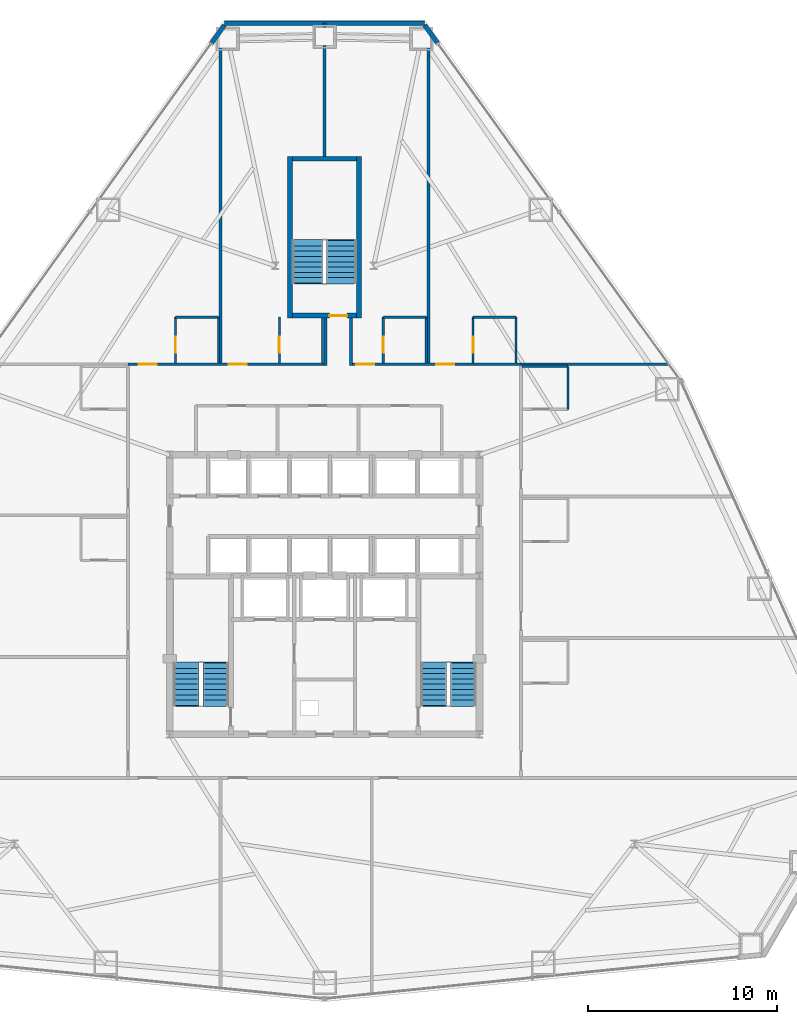
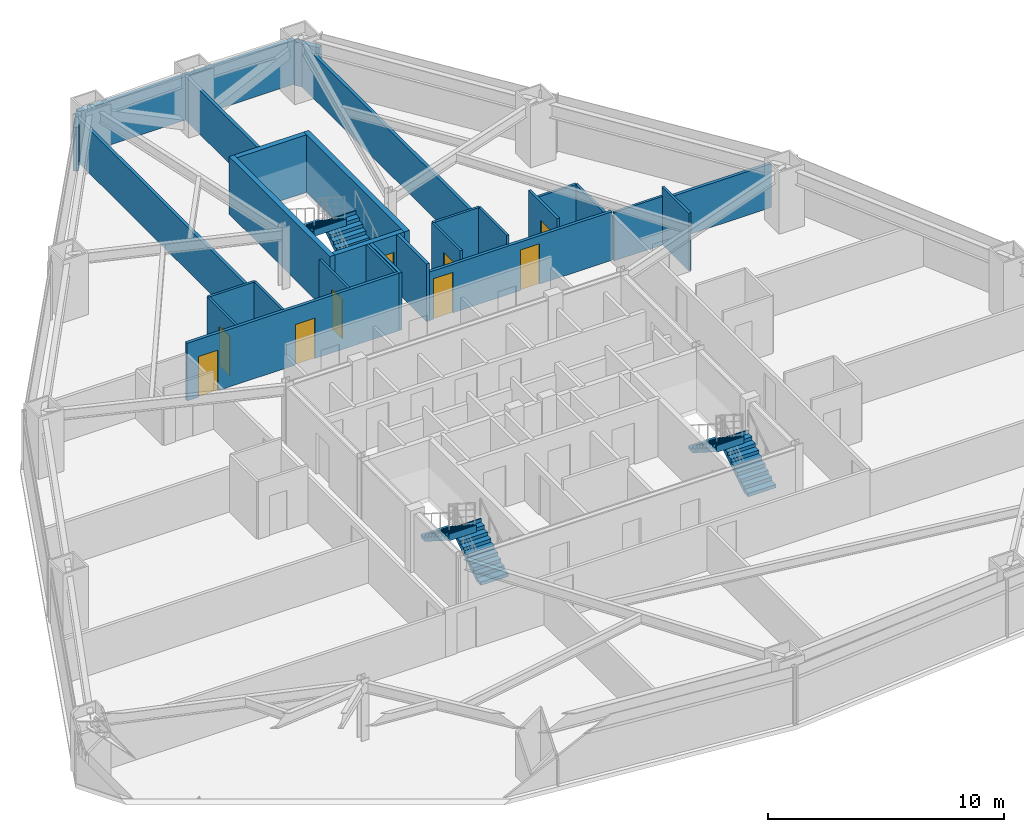
# One storey, part 11 of 12: 28 walls, 9 doors, 6 stair flights, 9 openings, 3 elements without a shape of their own.
"""IFC4 building model written with IfcOpenShell, lengths in metres."""

from ifc_helpers import new_model, si_unit, direction, frame, frame_2d, origin, place, context, subcontext, project, spatial, polyline, rectangle, outline, extrude, material, layer, layer_set, type_object, element, fill, aggregate, save


model = new_model("IFC4")

# Units and contexts
model_context = context("Model", 3, precision=1e-05, world=origin(), true_north=direction((0.0, 1.0)))
body_context = subcontext(model_context, "Body", "Model", "MODEL_VIEW")
ifc_project = project(units=[si_unit("LENGTHUNIT", "METRE"), si_unit("AREAUNIT", "SQUARE_METRE"), si_unit("VOLUMEUNIT", "CUBIC_METRE"), si_unit("PLANEANGLEUNIT", "RADIAN"), si_unit("MASSUNIT", "GRAM", prefix="KILO")], contexts=[model_context])

# Site, building, storey
site_placement = place(None, origin())
site = spatial("IfcSite", under=ifc_project, at=site_placement, CompositionType="ELEMENT")
building_placement = place(site_placement, origin())
building = spatial("IfcBuilding", under=site, at=building_placement, Name="Varakhsha Concourse Tower", CompositionType="ELEMENT")
storey_placement = place(building_placement, frame((0.0, 0.0, 30.39990234375)))
storey = spatial("IfcBuildingStorey", under=building, at=storey_placement, Name="L07", CompositionType="ELEMENT", Elevation=30.39990234375)

# Walls
ifc_material_1 = material(Name="Concrete fc 45 MPa", Category="concrete")
ifc_layer_1 = layer(ifc_material_1, 0.239990234375, Name="WL-EXT-CRN-240")
ifc_layer_set_1 = layer_set([ifc_layer_1], Name="Concrete fc 45 MPa")
wall_type_1 = type_object("IfcWallType", Name="WL-EXT-CRN-240", PredefinedType="SHEAR", material=ifc_layer_set_1)
wall_1_placement = place(storey_placement, frame((34.699951171875, 54.06005859375, 0.0), z_axis=(0.0, 0.0, 1.0), x_axis=(1.0, 0.0, 0.0)))
element("IfcWall", 1, at=wall_1_placement, inside=storey, type_object=wall_type_1, Name="L07 Chamfer Wind-Corner Insulated Wall F1", PredefinedType="SHEAR", context=body_context, shape_type="SweptSolid", body=[
    extrude(rectangle(XDim=10.60009765625, YDim=0.239990234375, at=frame_2d((5.300048828125, 0.0))), origin(), (0.0, 0.0, 1.0), 2.26318359375),
])
for number, where, z_axis, x_axis, name in (
    (2, (34.701416015625, 53.947998046875, 0.0), (0.0, 0.0, 1.0), (-0.584293660118, -0.811542308661, 0.0), "L07 Wind-Corner Shoulder Wall F2"),
    (3, (45.977783203125, 53.004638671875, 0.0), (0.0, 0.0, 1.0), (-0.584293660118, 0.811542308661, 0.0), "L07 Wind-Corner Shoulder Wall F9"),
):
    element("IfcWall", number, at=place(storey_placement, frame(where, z_axis=z_axis, x_axis=x_axis)), inside=storey, type_object=wall_type_1, Name=name, PredefinedType="SHEAR", context=body_context, shape_type="SweptSolid", body=[
        extrude(rectangle(XDim=1.162353515625, YDim=0.239990234375, at=frame_2d((0.5810546875, 0.0))), origin(), (0.0, 0.0, 1.0), 2.26318359375),
    ])
ifc_material_2 = material(Name="Acoustic Gypsum Board Partition Assembly", Category="gypsum")
ifc_layer_2 = layer(ifc_material_2, 0.1201171875, Name="WL-PART-120")
ifc_layer_set_2 = layer_set([ifc_layer_2], Name="Acoustic Gypsum Board Partition Assembly")
wall_type_2 = type_object("IfcWallType", Name="WL-PART-120", PredefinedType="PARTITIONING", material=ifc_layer_set_2)
wall_2_placement = place(storey_placement, frame((52.889892578125, 33.610107421875, 0.0), z_axis=(0.0, 0.0, 1.0), x_axis=(0.0, 1.0, 0.0)))
element("IfcWall", 4, at=wall_2_placement, inside=storey, type_object=wall_type_2, Name="L07 Wall ENSW-E-L07-H09", PredefinedType="PARTITIONING", context=body_context, shape_type="SweptSolid", body=[
    extrude(rectangle(XDim=2.27978515625, YDim=0.1201171875, at=frame_2d((1.139892578125, 0.0))), origin(), (0.0, 0.0, 1.0), 2.97998046875),
])
wall_3_placement = place(storey_placement, frame((50.4599609375, 35.889892578125, 0.0), z_axis=(0.0, 0.0, 1.0), x_axis=(1.0, 0.0, 0.0)))
element("IfcWall", 5, at=wall_3_placement, inside=storey, type_object=wall_type_2, Name="L07 Wall ENSW-N-L07-H09", PredefinedType="PARTITIONING", context=body_context, shape_type="SweptSolid", body=[
    extrude(rectangle(XDim=2.429931640625, YDim=0.1201171875, at=frame_2d((1.21484375, 0.0))), origin(), (0.0, 0.0, 1.0), 2.51318359375),
])

# Wall, opening, door
wall_4_placement = place(storey_placement, frame((32.110107421875, 36.06005859375, 0.0), z_axis=(0.0, 0.0, 1.0), x_axis=(0.0, 1.0, 0.0)))
wall_4 = element("IfcWall", 6, at=wall_4_placement, inside=storey, type_object=wall_type_2, Name="L07 Wall ENSW-W-L07-H10", PredefinedType="PARTITIONING", context=body_context, shape_type="SweptSolid", body=[
    extrude(rectangle(XDim=2.429931640625, YDim=0.1201171875, at=frame_2d((1.21484375, 0.0))), origin(), (0.0, 0.0, 1.0), 2.97998046875),
])
opening_1_placement = place(wall_4_placement, frame((0.550048828125, 0.0, 0.0)))
opening_1 = element("IfcOpeningElement", 7, at=opening_1_placement, cuts=wall_4, Name="Opening DI-01", PredefinedType="OPENING", context=body_context, shape_type="SweptSolid", body=[
    extrude(rectangle(XDim=0.85009765625, YDim=2.050048828125, at=frame_2d((0.425048828125, 1.02490234375))), frame((0.0, 0.070068359375, 0.0), z_axis=(0.0, -1.0, 0.0), x_axis=(1.0, 0.0, 0.0)), (0.0, 0.0, 1.0), 0.14013671875),
])
ifc_material_3 = material(Name="Architectural Walnut Acoustic Timber Door", Category="wood")
door_type_1 = type_object("IfcDoorType", Name="DR-INT-850", OperationType="NOTDEFINED", PredefinedType="DOOR", material=ifc_material_3)
door_1_placement = place(opening_1_placement, origin())
door_1 = element("IfcDoor", 8, at=door_1_placement, inside=storey, type_object=door_type_1, Name="L07 En-suite Bathroom Door L07-H10", OperationType="SINGLE_SWING_RIGHT", OverallHeight=2.050048828125, OverallWidth=0.85009765625, PredefinedType="DOOR", context=body_context, shape_type="SweptSolid", body=[
    extrude(rectangle(XDim=0.85009765625, YDim=2.050048828125, at=frame_2d((0.425048828125, 1.02490234375))), frame((0.0, 0.02490234375, 0.0), z_axis=(0.0, -1.0, 0.0), x_axis=(1.0, 0.0, 0.0)), (0.0, 0.0, 1.0), 0.050048828125),
])
fill(opening_1, door_1)

# Walls
wall_5_placement = place(storey_placement, frame((34.389892578125, 36.06005859375, 0.0), z_axis=(0.0, 0.0, 1.0), x_axis=(0.0, 1.0, 0.0)))
element("IfcWall", 9, at=wall_5_placement, inside=storey, type_object=wall_type_2, Name="L07 Wall ENSW-E-L07-H10", PredefinedType="PARTITIONING", context=body_context, shape_type="SweptSolid", body=[
    extrude(rectangle(XDim=2.429931640625, YDim=0.1201171875, at=frame_2d((1.21484375, 0.0))), origin(), (0.0, 0.0, 1.0), 2.97998046875),
])
wall_6_placement = place(storey_placement, frame((32.110107421875, 38.489990234375, 0.0), z_axis=(0.0, 0.0, 1.0), x_axis=(1.0, 0.0, 0.0)))
element("IfcWall", 10, at=wall_6_placement, inside=storey, type_object=wall_type_2, Name="L07 Wall ENSW-N-L07-H10", PredefinedType="PARTITIONING", context=body_context, shape_type="SweptSolid", body=[
    extrude(rectangle(XDim=2.27978515625, YDim=0.1201171875, at=frame_2d((1.139892578125, 0.0))), origin(), (0.0, 0.0, 1.0), 2.97998046875),
])

# Wall, opening, door
wall_7_placement = place(storey_placement, frame((37.610107421875, 36.06005859375, 0.0), z_axis=(0.0, 0.0, 1.0), x_axis=(0.0, 1.0, 0.0)))
wall_7 = element("IfcWall", 11, at=wall_7_placement, inside=storey, type_object=wall_type_2, Name="L07 Wall ENSW-W-L07-H11", PredefinedType="PARTITIONING", context=body_context, shape_type="SweptSolid", body=[
    extrude(rectangle(XDim=2.429931640625, YDim=0.1201171875, at=frame_2d((1.21484375, 0.0))), origin(), (0.0, 0.0, 1.0), 2.97998046875),
])
opening_2_placement = place(wall_7_placement, frame((0.550048828125, 0.0, 0.0)))
opening_2 = element("IfcOpeningElement", 12, at=opening_2_placement, cuts=wall_7, Name="Opening DI-01", PredefinedType="OPENING", context=body_context, shape_type="SweptSolid", body=[
    extrude(rectangle(XDim=0.85009765625, YDim=2.050048828125, at=frame_2d((0.425048828125, 1.02490234375))), frame((0.0, 0.070068359375, 0.0), z_axis=(0.0, -1.0, 0.0), x_axis=(1.0, 0.0, 0.0)), (0.0, 0.0, 1.0), 0.14013671875),
])
door_2_placement = place(opening_2_placement, origin())
door_2 = element("IfcDoor", 13, at=door_2_placement, inside=storey, type_object=door_type_1, Name="L07 En-suite Bathroom Door L07-H11", OperationType="SINGLE_SWING_RIGHT", OverallHeight=2.050048828125, OverallWidth=0.85009765625, PredefinedType="DOOR", context=body_context, shape_type="SweptSolid", body=[
    extrude(rectangle(XDim=0.85009765625, YDim=2.050048828125, at=frame_2d((0.425048828125, 1.02490234375))), frame((0.0, 0.02490234375, 0.0), z_axis=(0.0, -1.0, 0.0), x_axis=(1.0, 0.0, 0.0)), (0.0, 0.0, 1.0), 0.050048828125),
])
fill(opening_2, door_2)

# Wall
wall_8_placement = place(storey_placement, frame((39.889892578125, 36.06005859375, 0.0), z_axis=(0.0, 0.0, 1.0), x_axis=(0.0, 1.0, 0.0)))
element("IfcWall", 14, at=wall_8_placement, inside=storey, type_object=wall_type_2, Name="L07 Wall ENSW-E-L07-H11", PredefinedType="PARTITIONING", context=body_context, shape_type="SweptSolid", body=[
    extrude(rectangle(XDim=2.389892578125, YDim=0.1201171875, at=frame_2d((1.19482421875, 0.0))), origin(), (0.0, 0.0, 1.0), 2.97998046875),
])

# Wall, opening, door
wall_9_placement = place(storey_placement, frame((43.110107421875, 36.06005859375, 0.0), z_axis=(0.0, 0.0, 1.0), x_axis=(0.0, 1.0, 0.0)))
wall_9 = element("IfcWall", 15, at=wall_9_placement, inside=storey, type_object=wall_type_2, Name="L07 Wall ENSW-W-L07-H12", PredefinedType="PARTITIONING", context=body_context, shape_type="SweptSolid", body=[
    extrude(rectangle(XDim=2.429931640625, YDim=0.1201171875, at=frame_2d((1.21484375, 0.0))), origin(), (0.0, 0.0, 1.0), 2.97998046875),
])
opening_3_placement = place(wall_9_placement, frame((0.550048828125, 0.0, 0.0)))
opening_3 = element("IfcOpeningElement", 16, at=opening_3_placement, cuts=wall_9, Name="Opening DI-01", PredefinedType="OPENING", context=body_context, shape_type="SweptSolid", body=[
    extrude(rectangle(XDim=0.85009765625, YDim=2.050048828125, at=frame_2d((0.425048828125, 1.02490234375))), frame((0.0, 0.070068359375, 0.0), z_axis=(0.0, -1.0, 0.0), x_axis=(1.0, 0.0, 0.0)), (0.0, 0.0, 1.0), 0.14013671875),
])
door_3_placement = place(opening_3_placement, origin())
door_3 = element("IfcDoor", 17, at=door_3_placement, inside=storey, type_object=door_type_1, Name="L07 En-suite Bathroom Door L07-H12", OperationType="SINGLE_SWING_RIGHT", OverallHeight=2.050048828125, OverallWidth=0.85009765625, PredefinedType="DOOR", context=body_context, shape_type="SweptSolid", body=[
    extrude(rectangle(XDim=0.85009765625, YDim=2.050048828125, at=frame_2d((0.425048828125, 1.02490234375))), frame((0.0, 0.02490234375, 0.0), z_axis=(0.0, -1.0, 0.0), x_axis=(1.0, 0.0, 0.0)), (0.0, 0.0, 1.0), 0.050048828125),
])
fill(opening_3, door_3)

# Walls
wall_10_placement = place(storey_placement, frame((45.389892578125, 36.06005859375, 0.0), z_axis=(0.0, 0.0, 1.0), x_axis=(0.0, 1.0, 0.0)))
element("IfcWall", 18, at=wall_10_placement, inside=storey, type_object=wall_type_2, Name="L07 Wall ENSW-E-L07-H12", PredefinedType="PARTITIONING", context=body_context, shape_type="SweptSolid", body=[
    extrude(rectangle(XDim=2.429931640625, YDim=0.1201171875, at=frame_2d((1.21484375, 0.0))), origin(), (0.0, 0.0, 1.0), 2.97998046875),
])
wall_11_placement = place(storey_placement, frame((43.110107421875, 38.489990234375, 0.0), z_axis=(0.0, 0.0, 1.0), x_axis=(1.0, 0.0, 0.0)))
element("IfcWall", 19, at=wall_11_placement, inside=storey, type_object=wall_type_2, Name="L07 Wall ENSW-N-L07-H12", PredefinedType="PARTITIONING", context=body_context, shape_type="SweptSolid", body=[
    extrude(rectangle(XDim=2.27978515625, YDim=0.1201171875, at=frame_2d((1.139892578125, 0.0))), origin(), (0.0, 0.0, 1.0), 2.97998046875),
])

# Wall, opening, door
wall_12_placement = place(storey_placement, frame((47.860107421875, 36.06005859375, 0.0), z_axis=(0.0, 0.0, 1.0), x_axis=(0.0, 1.0, 0.0)))
wall_12 = element("IfcWall", 20, at=wall_12_placement, inside=storey, type_object=wall_type_2, Name="L07 Wall ENSW-W-L07-H13", PredefinedType="PARTITIONING", context=body_context, shape_type="SweptSolid", body=[
    extrude(rectangle(XDim=2.429931640625, YDim=0.1201171875, at=frame_2d((1.21484375, 0.0))), origin(), (0.0, 0.0, 1.0), 2.97998046875),
])
opening_4_placement = place(wall_12_placement, frame((0.550048828125, 0.0, 0.0)))
opening_4 = element("IfcOpeningElement", 21, at=opening_4_placement, cuts=wall_12, Name="Opening DI-01", PredefinedType="OPENING", context=body_context, shape_type="SweptSolid", body=[
    extrude(rectangle(XDim=0.85009765625, YDim=2.050048828125, at=frame_2d((0.425048828125, 1.02490234375))), frame((0.0, 0.070068359375, 0.0), z_axis=(0.0, -1.0, 0.0), x_axis=(1.0, 0.0, 0.0)), (0.0, 0.0, 1.0), 0.14013671875),
])
door_4_placement = place(opening_4_placement, origin())
door_4 = element("IfcDoor", 22, at=door_4_placement, inside=storey, type_object=door_type_1, Name="L07 En-suite Bathroom Door L07-H13", OperationType="SINGLE_SWING_RIGHT", OverallHeight=2.050048828125, OverallWidth=0.85009765625, PredefinedType="DOOR", context=body_context, shape_type="SweptSolid", body=[
    extrude(rectangle(XDim=0.85009765625, YDim=2.050048828125, at=frame_2d((0.425048828125, 1.02490234375))), frame((0.0, 0.02490234375, 0.0), z_axis=(0.0, -1.0, 0.0), x_axis=(1.0, 0.0, 0.0)), (0.0, 0.0, 1.0), 0.050048828125),
])
fill(opening_4, door_4)

# Walls
wall_13_placement = place(storey_placement, frame((50.139892578125, 36.06005859375, 0.0), z_axis=(0.0, 0.0, 1.0), x_axis=(0.0, 1.0, 0.0)))
element("IfcWall", 23, at=wall_13_placement, inside=storey, type_object=wall_type_2, Name="L07 Wall ENSW-E-L07-H13", PredefinedType="PARTITIONING", context=body_context, shape_type="SweptSolid", body=[
    extrude(rectangle(XDim=2.429931640625, YDim=0.1201171875, at=frame_2d((1.21484375, 0.0))), origin(), (0.0, 0.0, 1.0), 2.51318359375),
])
wall_14_placement = place(storey_placement, frame((47.860107421875, 38.489990234375, 0.0), z_axis=(0.0, 0.0, 1.0), x_axis=(1.0, 0.0, 0.0)))
element("IfcWall", 24, at=wall_14_placement, inside=storey, type_object=wall_type_2, Name="L07 Wall ENSW-N-L07-H13", PredefinedType="PARTITIONING", context=body_context, shape_type="SweptSolid", body=[
    extrude(rectangle(XDim=2.27978515625, YDim=0.1201171875, at=frame_2d((1.139892578125, 0.0))), origin(), (0.0, 0.0, 1.0), 2.51318359375),
])

# Wall, openings, doors
ifc_material_4 = material(Name="Fire-Rated Type X Gypsum Partition Assembly", Category="gypsum")
ifc_layer_3 = layer(ifc_material_4, 0.14990234375, Name="WL-PART-150")
ifc_layer_set_3 = layer_set([ifc_layer_3], Name="Fire-Rated Type X Gypsum Partition Assembly")
wall_type_3 = type_object("IfcWallType", Name="WL-PART-150", PredefinedType="PARTITIONING", material=ifc_layer_set_3)
wall_15_placement = place(storey_placement, frame((29.60009765625, 36.0, 0.0), z_axis=(0.0, 0.0, 1.0), x_axis=(1.0, 0.0, 0.0)))
wall_15 = element("IfcWall", 25, at=wall_15_placement, inside=storey, type_object=wall_type_3, Name="L07 Wall CRW-N-L07", PredefinedType="PARTITIONING", context=body_context, shape_type="SweptSolid", body=[
    extrude(rectangle(XDim=10.375, YDim=0.14990234375, at=frame_2d((5.1875, 0.0))), origin(), (0.0, 0.0, 1.0), 2.97998046875),
])
opening_5_placement = place(wall_15_placement, frame((0.570068359375, 0.0, 0.0)))
opening_5 = element("IfcOpeningElement", 26, at=opening_5_placement, cuts=wall_15, Name="Opening DF-05", PredefinedType="OPENING", context=body_context, shape_type="SweptSolid", body=[
    extrude(rectangle(XDim=0.949951171875, YDim=2.10009765625, at=frame_2d((0.47509765625, 1.050048828125))), frame((0.0, 0.0849609375, 0.0), z_axis=(0.0, -1.0, 0.0), x_axis=(1.0, 0.0, 0.0)), (0.0, 0.0, 1.0), 0.169921875),
])
opening_6_placement = place(wall_15_placement, frame((5.320068359375, 0.0, 0.0)))
opening_6 = element("IfcOpeningElement", 27, at=opening_6_placement, cuts=wall_15, Name="Opening DF-05", PredefinedType="OPENING", context=body_context, shape_type="SweptSolid", body=[
    extrude(rectangle(XDim=0.949951171875, YDim=2.10009765625, at=frame_2d((0.47509765625, 1.050048828125))), frame((0.0, 0.0849609375, 0.0), z_axis=(0.0, -1.0, 0.0), x_axis=(1.0, 0.0, 0.0)), (0.0, 0.0, 1.0), 0.169921875),
])
ifc_material_5 = material(Name="Hollow Galvanised Steel Fire Door Assembly", Category="steel")
door_type_2 = type_object("IfcDoorType", Name="DR-FD60-950", OperationType="NOTDEFINED", PredefinedType="DOOR", material=ifc_material_5)
door_5_placement = place(opening_5_placement, origin())
door_5 = element("IfcDoor", 28, at=door_5_placement, inside=storey, type_object=door_type_2, Name="L07 Hotel Corner Suite L07-H10 Entry Door", OperationType="SINGLE_SWING_RIGHT", OverallHeight=2.10009765625, OverallWidth=0.949951171875, PredefinedType="DOOR", context=body_context, shape_type="SweptSolid", body=[
    extrude(rectangle(XDim=0.949951171875, YDim=2.10009765625, at=frame_2d((0.47509765625, 1.050048828125))), frame((0.0, 0.02490234375, 0.0), z_axis=(0.0, -1.0, 0.0), x_axis=(1.0, 0.0, 0.0)), (0.0, 0.0, 1.0), 0.050048828125),
])
fill(opening_5, door_5)
door_6_placement = place(opening_6_placement, origin())
door_6 = element("IfcDoor", 29, at=door_6_placement, inside=storey, type_object=door_type_2, Name="L07 Hotel Corner Suite L07-H11 Entry Door", OperationType="SINGLE_SWING_LEFT", OverallHeight=2.10009765625, OverallWidth=0.949951171875, PredefinedType="DOOR", context=body_context, shape_type="SweptSolid", body=[
    extrude(rectangle(XDim=0.949951171875, YDim=2.10009765625, at=frame_2d((0.47509765625, 1.050048828125))), frame((0.0, 0.02490234375, 0.0), z_axis=(0.0, -1.0, 0.0), x_axis=(1.0, 0.0, 0.0)), (0.0, 0.0, 1.0), 0.050048828125),
])
fill(opening_6, door_6)

wall_16_placement = place(storey_placement, frame((41.47509765625, 36.0, 0.0), z_axis=(0.0, 0.0, 1.0), x_axis=(1.0, 0.0, 0.0)))
wall_16 = element("IfcWall", 30, at=wall_16_placement, inside=storey, type_object=wall_type_3, Name="L07 Wall CRW-N-L07-B", PredefinedType="PARTITIONING", context=body_context, shape_type="SweptSolid", body=[
    extrude(rectangle(XDim=8.9248046875, YDim=0.14990234375, at=frame_2d((4.46240234375, 0.0))), origin(), (0.0, 0.0, 1.0), 2.51318359375),
])
opening_7_placement = place(wall_16_placement, frame((0.199951171875, 0.0, 0.0)))
opening_7 = element("IfcOpeningElement", 31, at=opening_7_placement, cuts=wall_16, Name="Opening DF-05", PredefinedType="OPENING", context=body_context, shape_type="SweptSolid", body=[
    extrude(rectangle(XDim=0.949951171875, YDim=2.10009765625, at=frame_2d((0.47509765625, 1.050048828125))), frame((0.0, 0.0849609375, 0.0), z_axis=(0.0, -1.0, 0.0), x_axis=(1.0, 0.0, 0.0)), (0.0, 0.0, 1.0), 0.169921875),
])
opening_8_placement = place(wall_16_placement, frame((4.445068359375, 0.0, 0.0)))
opening_8 = element("IfcOpeningElement", 32, at=opening_8_placement, cuts=wall_16, Name="Opening DF-05", PredefinedType="OPENING", context=body_context, shape_type="SweptSolid", body=[
    extrude(rectangle(XDim=0.949951171875, YDim=2.10009765625, at=frame_2d((0.47509765625, 1.050048828125))), frame((0.0, 0.0849609375, 0.0), z_axis=(0.0, -1.0, 0.0), x_axis=(1.0, 0.0, 0.0)), (0.0, 0.0, 1.0), 0.169921875),
])
door_7_placement = place(opening_7_placement, origin())
door_7 = element("IfcDoor", 33, at=door_7_placement, inside=storey, type_object=door_type_2, Name="L07 Hotel Corner Suite L07-H12 Entry Door", OperationType="SINGLE_SWING_RIGHT", OverallHeight=2.10009765625, OverallWidth=0.949951171875, PredefinedType="DOOR", context=body_context, shape_type="SweptSolid", body=[
    extrude(rectangle(XDim=0.949951171875, YDim=2.10009765625, at=frame_2d((0.47509765625, 1.050048828125))), frame((0.0, 0.02490234375, 0.0), z_axis=(0.0, -1.0, 0.0), x_axis=(1.0, 0.0, 0.0)), (0.0, 0.0, 1.0), 0.050048828125),
])
fill(opening_7, door_7)
door_8_placement = place(opening_8_placement, origin())
door_8 = element("IfcDoor", 34, at=door_8_placement, inside=storey, type_object=door_type_2, Name="L07 Hotel Corner Suite L07-H13 Entry Door", OperationType="SINGLE_SWING_LEFT", OverallHeight=2.10009765625, OverallWidth=0.949951171875, PredefinedType="DOOR", context=body_context, shape_type="SweptSolid", body=[
    extrude(rectangle(XDim=0.949951171875, YDim=2.10009765625, at=frame_2d((0.47509765625, 1.050048828125))), frame((0.0, 0.02490234375, 0.0), z_axis=(0.0, -1.0, 0.0), x_axis=(1.0, 0.0, 0.0)), (0.0, 0.0, 1.0), 0.050048828125),
])
fill(opening_8, door_8)

# Walls
wall_17_placement = place(storey_placement, frame((50.39990234375, 36.0, 0.0), z_axis=(0.0, 0.0, 1.0), x_axis=(1.0, 0.0, 0.0)))
element("IfcWall", 35, at=wall_17_placement, inside=storey, type_object=wall_type_3, Name="L07 Wall HDIV-EBN-L07", PredefinedType="PARTITIONING", context=body_context, shape_type="SweptSolid", body=[
    extrude(rectangle(XDim=7.814453125, YDim=0.14990234375, at=frame_2d((3.9072265625, 0.0))), origin(), (0.0, 0.0, 1.0), 2.26806640625),
])
wall_18_placement = place(storey_placement, frame((34.5, 36.0, 0.0), z_axis=(0.0, 0.0, 1.0), x_axis=(0.0, 1.0, 0.0)))
element("IfcWall", 36, at=wall_18_placement, inside=storey, type_object=wall_type_3, Name="L07 Wall HDIV-N1-L07", PredefinedType="PARTITIONING", context=body_context, shape_type="SweptSolid", body=[
    extrude(rectangle(XDim=17.659912109375, YDim=0.14990234375, at=frame_2d((8.830078125, 0.0))), origin(), (0.0, 0.0, 1.0), 2.26806640625),
])
wall_19_placement = place(storey_placement, frame((40.0, 47.0, 0.0), z_axis=(0.0, 0.0, 1.0), x_axis=(0.0, 1.0, 0.0)))
element("IfcWall", 37, at=wall_19_placement, inside=storey, type_object=wall_type_3, Name="L07 Wall HDIV-N2-L07", PredefinedType="PARTITIONING", context=body_context, shape_type="SweptSolid", body=[
    extrude(rectangle(XDim=7.05517578125, YDim=0.14990234375, at=frame_2d((3.527587890625, 0.0))), origin(), (0.0, 0.0, 1.0), 2.26806640625),
])
wall_20_placement = place(storey_placement, frame((45.5, 36.0, 0.0), z_axis=(0.0, 0.0, 1.0), x_axis=(0.0, 1.0, 0.0)))
element("IfcWall", 38, at=wall_20_placement, inside=storey, type_object=wall_type_3, Name="L07 Wall HDIV-N3-L07", PredefinedType="PARTITIONING", context=body_context, shape_type="SweptSolid", body=[
    extrude(rectangle(XDim=17.659912109375, YDim=0.14990234375, at=frame_2d((8.830078125, 0.0))), origin(), (0.0, 0.0, 1.0), 2.26806640625),
])
for number, where, z_axis, x_axis, name in (
    (39, (40.050048828125, 35.925048828125, 0.0), (0.0, 0.0, 1.0), (0.0, 1.0, 0.0), "L07 Wall STUB-W-L07"),
    (40, (41.39990234375, 35.925048828125, 0.0), (0.0, 0.0, 1.0), (0.0, 1.0, 0.0), "L07 Wall STUB-E-L07"),
):
    element("IfcWall", number, at=place(storey_placement, frame(where, z_axis=z_axis, x_axis=x_axis)), inside=storey, type_object=wall_type_3, Name=name, PredefinedType="PARTITIONING", context=body_context, shape_type="SweptSolid", body=[
        extrude(rectangle(XDim=2.52490234375, YDim=0.14990234375, at=frame_2d((1.262451171875, 0.0))), origin(), (0.0, 0.0, 1.0), 2.97998046875),
    ])
ifc_layer_4 = layer(ifc_material_1, 0.25, Name="WL-STAIR-250")
ifc_layer_set_4 = layer_set([ifc_layer_4], Name="Concrete fc 45 MPa")
wall_type_4 = type_object("IfcWallType", Name="WL-STAIR-250", PredefinedType="SHEAR", material=ifc_layer_set_4)
for number, where, z_axis, x_axis, name in (
    (41, (38.175048828125, 38.449951171875, 0.0), (0.0, 0.0, 1.0), (0.0, 1.0, 0.0), "L07 Wall SWALL-ST5-W-L07"),
    (42, (41.824951171875, 38.449951171875, 0.0), (0.0, 0.0, 1.0), (0.0, 1.0, 0.0), "L07 Wall SWALL-ST5-E-L07"),
):
    element("IfcWall", number, at=place(storey_placement, frame(where, z_axis=z_axis, x_axis=x_axis)), inside=storey, type_object=wall_type_4, Name=name, PredefinedType="SHEAR", context=body_context, shape_type="SweptSolid", body=[
        extrude(rectangle(XDim=8.550048828125, YDim=0.25, at=frame_2d((4.27490234375, 0.0))), origin(), (0.0, 0.0, 1.0), 2.97998046875),
    ])

# Wall, opening, door
wall_21_placement = place(storey_placement, frame((38.300048828125, 38.574951171875, 0.0), z_axis=(0.0, 0.0, 1.0), x_axis=(1.0, 0.0, 0.0)))
wall_21 = element("IfcWall", 43, at=wall_21_placement, inside=storey, type_object=wall_type_4, Name="L07 Wall SWALL-ST5-S-L07", PredefinedType="SHEAR", context=body_context, shape_type="SweptSolid", body=[
    extrude(rectangle(XDim=3.39990234375, YDim=0.25, at=frame_2d((1.699951171875, 0.0))), origin(), (0.0, 0.0, 1.0), 2.97998046875),
])
opening_9_placement = place(wall_21_placement, frame((1.949951171875, 0.0, 0.0)))
opening_9 = element("IfcOpeningElement", 44, at=opening_9_placement, cuts=wall_21, Name="Opening DF-03", PredefinedType="OPENING", context=body_context, shape_type="SweptSolid", body=[
    extrude(rectangle(XDim=0.949951171875, YDim=2.10009765625, at=frame_2d((0.47509765625, 1.050048828125))), frame((0.0, 0.135009765625, 0.0), z_axis=(0.0, -1.0, 0.0), x_axis=(1.0, 0.0, 0.0)), (0.0, 0.0, 1.0), 0.27001953125),
])
door_type_3 = type_object("IfcDoorType", Name="DR-FD90-950", OperationType="NOTDEFINED", PredefinedType="DOOR", material=ifc_material_5)
door_9_placement = place(opening_9_placement, origin())
door_9 = element("IfcDoor", 45, at=door_9_placement, inside=storey, type_object=door_type_3, Name="L07 Stair ST5 Fire Door", OperationType="SINGLE_SWING_RIGHT", OverallHeight=2.10009765625, OverallWidth=0.949951171875, PredefinedType="DOOR", context=body_context, shape_type="SweptSolid", body=[
    extrude(rectangle(XDim=0.949951171875, YDim=2.10009765625, at=frame_2d((0.47509765625, 1.050048828125))), frame((0.0, 0.02490234375, 0.0), z_axis=(0.0, -1.0, 0.0), x_axis=(1.0, 0.0, 0.0)), (0.0, 0.0, 1.0), 0.050048828125),
])
fill(opening_9, door_9)

# Wall
wall_22_placement = place(storey_placement, frame((38.300048828125, 46.875, 0.0), z_axis=(0.0, 0.0, 1.0), x_axis=(1.0, 0.0, 0.0)))
element("IfcWall", 46, at=wall_22_placement, inside=storey, type_object=wall_type_4, Name="L07 Wall SWALL-ST5-N-L07", PredefinedType="SHEAR", context=body_context, shape_type="SweptSolid", body=[
    extrude(rectangle(XDim=3.39990234375, YDim=0.25, at=frame_2d((1.699951171875, 0.0))), origin(), (0.0, 0.0, 1.0), 2.97998046875),
])

# Stair, stair flights
stair_type_1 = type_object("IfcStairType", Name="ST-DOGLEG-1360", PredefinedType="HALF_TURN_STAIR", material=ifc_material_1)
stair_1_placement = place(storey_placement, origin())
stair_1 = element("IfcStair", 47, at=stair_1_placement, inside=storey, type_object=stair_type_1, Name="L07 Protected Exit Stair ST1", PredefinedType="HALF_TURN_STAIR")
stair_flight_type_1 = type_object("IfcStairFlightType", Name="STF-1360-R1778", PredefinedType="STRAIGHT", material=ifc_material_1)
stair_flight_1_placement = place(storey_placement, frame((34.239990234375, 17.93994140625, 0.0), z_axis=(0.0, 0.0, 1.0), x_axis=(0.0, 1.0, 0.0)))
stair_flight_1 = element("IfcStairFlight", 48, at=stair_flight_1_placement, type_object=stair_flight_type_1, Name="ST1 flight 1", NumberOfRisers=9, NumberOfTreads=8, PredefinedType="STRAIGHT", RiserHeight=0.177777778, TreadLength=0.28, context=body_context, shape_type="SweptSolid", body=[
    extrude(outline(polyline([(-0.06005859375, 0.0), (-0.06005859375, 0.177734375), (0.0, 0.177734375), (0.280029296875, 0.177734375), (0.280029296875, 0.35546875), (0.56005859375, 0.35546875), (0.56005859375, 0.533447265625), (0.840087890625, 0.533447265625), (0.840087890625, 0.711181640625), (1.1201171875, 0.711181640625), (1.1201171875, 0.888916015625), (1.39990234375, 0.888916015625), (1.39990234375, 1.066650390625), (1.679931640625, 1.066650390625), (1.679931640625, 1.244384765625), (1.9599609375, 1.244384765625), (1.9599609375, 1.422119140625), (2.239990234375, 1.422119140625), (2.239990234375, 1.60009765625), (2.300048828125, 1.60009765625), (2.300048828125, 1.24462890625), (2.239990234375, 1.24462890625), (0.27978515625, 0.0), (-0.06005859375, 0.0)])), frame((0.0, 0.68017578125, 0.0), z_axis=(0.0, -1.0, 0.0), x_axis=(1.0, 0.0, 0.0)), (0.0, 0.0, 1.0), 1.360107421875),
])
stair_flight_2_placement = place(storey_placement, frame((32.679931640625, 20.179931640625, 1.60009765625), z_axis=(0.0, 0.0, 1.0), x_axis=(0.0, -1.0, 0.0)))
stair_flight_2 = element("IfcStairFlight", 49, at=stair_flight_2_placement, type_object=stair_flight_type_1, Name="ST1 flight 2", NumberOfRisers=9, NumberOfTreads=8, PredefinedType="STRAIGHT", RiserHeight=0.177777778, TreadLength=0.28, context=body_context, shape_type="SweptSolid", body=[
    extrude(outline(polyline([(-0.06005859375, 0.0), (-0.06005859375, 0.177734375), (0.0, 0.177734375), (0.280029296875, 0.177734375), (0.280029296875, 0.35546875), (0.56005859375, 0.35546875), (0.56005859375, 0.533447265625), (0.840087890625, 0.533447265625), (0.840087890625, 0.711181640625), (1.1201171875, 0.711181640625), (1.1201171875, 0.888916015625), (1.39990234375, 0.888916015625), (1.39990234375, 1.066650390625), (1.679931640625, 1.066650390625), (1.679931640625, 1.244384765625), (1.9599609375, 1.244384765625), (1.9599609375, 1.422119140625), (2.239990234375, 1.422119140625), (2.239990234375, 1.60009765625), (2.300048828125, 1.60009765625), (2.300048828125, 1.24462890625), (2.239990234375, 1.24462890625), (0.27978515625, 0.0), (-0.06005859375, 0.0)])), frame((0.0, 0.68017578125, 0.0), z_axis=(0.0, -1.0, 0.0), x_axis=(1.0, 0.0, 0.0)), (0.0, 0.0, 1.0), 1.360107421875),
])
aggregate(stair_1, [stair_flight_1, stair_flight_2])

stair_2_placement = place(storey_placement, origin())
stair_2 = element("IfcStair", 50, at=stair_2_placement, inside=storey, type_object=stair_type_1, Name="L07 Protected Exit Stair ST2", PredefinedType="HALF_TURN_STAIR")
stair_flight_3_placement = place(storey_placement, frame((47.340087890625, 17.93994140625, 0.0), z_axis=(0.0, 0.0, 1.0), x_axis=(0.0, 1.0, 0.0)))
stair_flight_3 = element("IfcStairFlight", 51, at=stair_flight_3_placement, type_object=stair_flight_type_1, Name="ST2 flight 1", NumberOfRisers=9, NumberOfTreads=8, PredefinedType="STRAIGHT", RiserHeight=0.177777778, TreadLength=0.28, context=body_context, shape_type="SweptSolid", body=[
    extrude(outline(polyline([(-0.06005859375, 0.0), (-0.06005859375, 0.177734375), (0.0, 0.177734375), (0.280029296875, 0.177734375), (0.280029296875, 0.35546875), (0.56005859375, 0.35546875), (0.56005859375, 0.533447265625), (0.840087890625, 0.533447265625), (0.840087890625, 0.711181640625), (1.1201171875, 0.711181640625), (1.1201171875, 0.888916015625), (1.39990234375, 0.888916015625), (1.39990234375, 1.066650390625), (1.679931640625, 1.066650390625), (1.679931640625, 1.244384765625), (1.9599609375, 1.244384765625), (1.9599609375, 1.422119140625), (2.239990234375, 1.422119140625), (2.239990234375, 1.60009765625), (2.300048828125, 1.60009765625), (2.300048828125, 1.24462890625), (2.239990234375, 1.24462890625), (0.27978515625, 0.0), (-0.06005859375, 0.0)])), frame((0.0, 0.68017578125, 0.0), z_axis=(0.0, -1.0, 0.0), x_axis=(1.0, 0.0, 0.0)), (0.0, 0.0, 1.0), 1.360107421875),
])
stair_flight_4_placement = place(storey_placement, frame((45.780029296875, 20.179931640625, 1.60009765625), z_axis=(0.0, 0.0, 1.0), x_axis=(0.0, -1.0, 0.0)))
stair_flight_4 = element("IfcStairFlight", 52, at=stair_flight_4_placement, type_object=stair_flight_type_1, Name="ST2 flight 2", NumberOfRisers=9, NumberOfTreads=8, PredefinedType="STRAIGHT", RiserHeight=0.177777778, TreadLength=0.28, context=body_context, shape_type="SweptSolid", body=[
    extrude(outline(polyline([(-0.06005859375, 0.0), (-0.06005859375, 0.177734375), (0.0, 0.177734375), (0.280029296875, 0.177734375), (0.280029296875, 0.35546875), (0.56005859375, 0.35546875), (0.56005859375, 0.533447265625), (0.840087890625, 0.533447265625), (0.840087890625, 0.711181640625), (1.1201171875, 0.711181640625), (1.1201171875, 0.888916015625), (1.39990234375, 0.888916015625), (1.39990234375, 1.066650390625), (1.679931640625, 1.066650390625), (1.679931640625, 1.244384765625), (1.9599609375, 1.244384765625), (1.9599609375, 1.422119140625), (2.239990234375, 1.422119140625), (2.239990234375, 1.60009765625), (2.300048828125, 1.60009765625), (2.300048828125, 1.24462890625), (2.239990234375, 1.24462890625), (0.27978515625, 0.0), (-0.06005859375, 0.0)])), frame((0.0, 0.68017578125, 0.0), z_axis=(0.0, -1.0, 0.0), x_axis=(1.0, 0.0, 0.0)), (0.0, 0.0, 1.0), 1.360107421875),
])
aggregate(stair_2, [stair_flight_3, stair_flight_4])

stair_type_2 = type_object("IfcStairType", Name="ST-DOGLEG-1600", PredefinedType="HALF_TURN_STAIR", material=ifc_material_1)
stair_3_placement = place(storey_placement, origin())
stair_3 = element("IfcStair", 53, at=stair_3_placement, inside=storey, type_object=stair_type_2, Name="L07 Protected Exit Stair ST5", PredefinedType="HALF_TURN_STAIR")
stair_flight_type_2 = type_object("IfcStairFlightType", Name="STF-1600-R1778", PredefinedType="STRAIGHT", material=ifc_material_1)
stair_flight_5_placement = place(storey_placement, frame((40.89990234375, 40.300048828125, 0.0), z_axis=(0.0, 0.0, 1.0), x_axis=(0.0, 1.0, 0.0)))
stair_flight_5 = element("IfcStairFlight", 54, at=stair_flight_5_placement, type_object=stair_flight_type_2, Name="ST5 flight 1", NumberOfRisers=9, NumberOfTreads=8, PredefinedType="STRAIGHT", RiserHeight=0.177777778, TreadLength=0.28, context=body_context, shape_type="SweptSolid", body=[
    extrude(outline(polyline([(-0.06005859375, 0.0), (-0.06005859375, 0.177734375), (0.0, 0.177734375), (0.280029296875, 0.177734375), (0.280029296875, 0.35546875), (0.56005859375, 0.35546875), (0.56005859375, 0.533447265625), (0.840087890625, 0.533447265625), (0.840087890625, 0.711181640625), (1.1201171875, 0.711181640625), (1.1201171875, 0.888916015625), (1.39990234375, 0.888916015625), (1.39990234375, 1.066650390625), (1.679931640625, 1.066650390625), (1.679931640625, 1.244384765625), (1.9599609375, 1.244384765625), (1.9599609375, 1.422119140625), (2.239990234375, 1.422119140625), (2.239990234375, 1.60009765625), (2.300048828125, 1.60009765625), (2.300048828125, 1.24462890625), (2.239990234375, 1.24462890625), (0.27978515625, 0.0), (-0.06005859375, 0.0)])), frame((0.0, 0.800048828125, 0.0), z_axis=(0.0, -1.0, 0.0), x_axis=(1.0, 0.0, 0.0)), (0.0, 0.0, 1.0), 1.60009765625),
])
stair_flight_6_placement = place(storey_placement, frame((39.10009765625, 42.5400390625, 1.60009765625), z_axis=(0.0, 0.0, 1.0), x_axis=(0.0, -1.0, 0.0)))
stair_flight_6 = element("IfcStairFlight", 55, at=stair_flight_6_placement, type_object=stair_flight_type_2, Name="ST5 flight 2", NumberOfRisers=9, NumberOfTreads=8, PredefinedType="STRAIGHT", RiserHeight=0.177777778, TreadLength=0.28, context=body_context, shape_type="SweptSolid", body=[
    extrude(outline(polyline([(-0.06005859375, 0.0), (-0.06005859375, 0.177734375), (0.0, 0.177734375), (0.280029296875, 0.177734375), (0.280029296875, 0.35546875), (0.56005859375, 0.35546875), (0.56005859375, 0.533447265625), (0.840087890625, 0.533447265625), (0.840087890625, 0.711181640625), (1.1201171875, 0.711181640625), (1.1201171875, 0.888916015625), (1.39990234375, 0.888916015625), (1.39990234375, 1.066650390625), (1.679931640625, 1.066650390625), (1.679931640625, 1.244384765625), (1.9599609375, 1.244384765625), (1.9599609375, 1.422119140625), (2.239990234375, 1.422119140625), (2.239990234375, 1.60009765625), (2.300048828125, 1.60009765625), (2.300048828125, 1.24462890625), (2.239990234375, 1.24462890625), (0.27978515625, 0.0), (-0.06005859375, 0.0)])), frame((0.0, 0.800048828125, 0.0), z_axis=(0.0, -1.0, 0.0), x_axis=(1.0, 0.0, 0.0)), (0.0, 0.0, 1.0), 1.60009765625),
])
aggregate(stair_3, [stair_flight_5, stair_flight_6])

save(model, "model.ifc")
